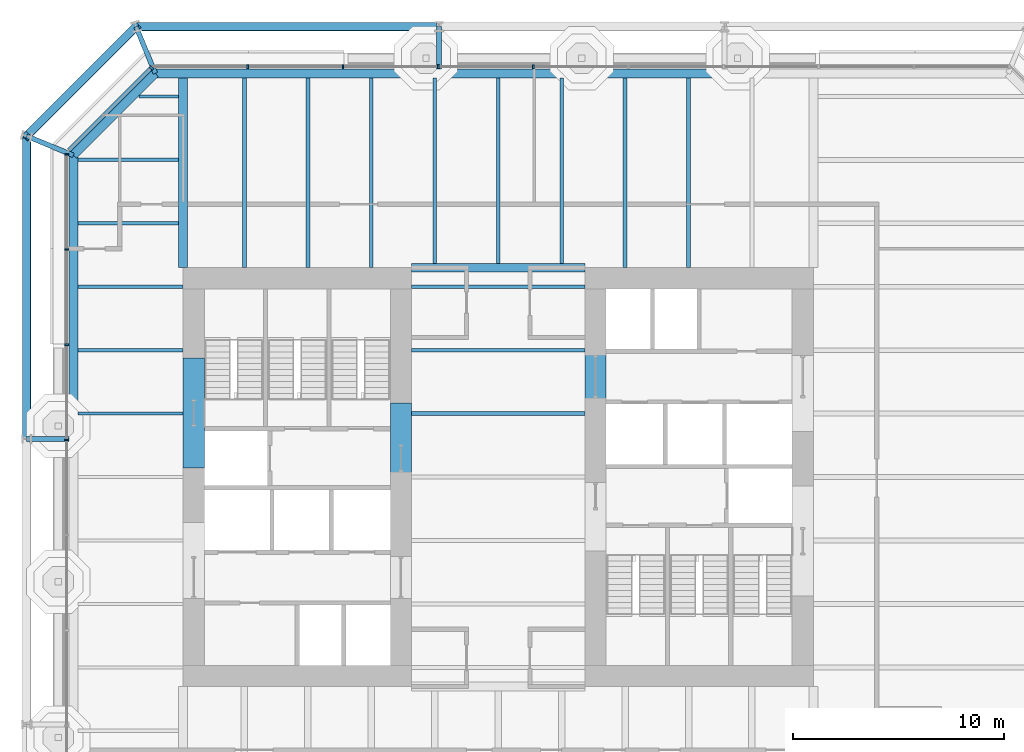
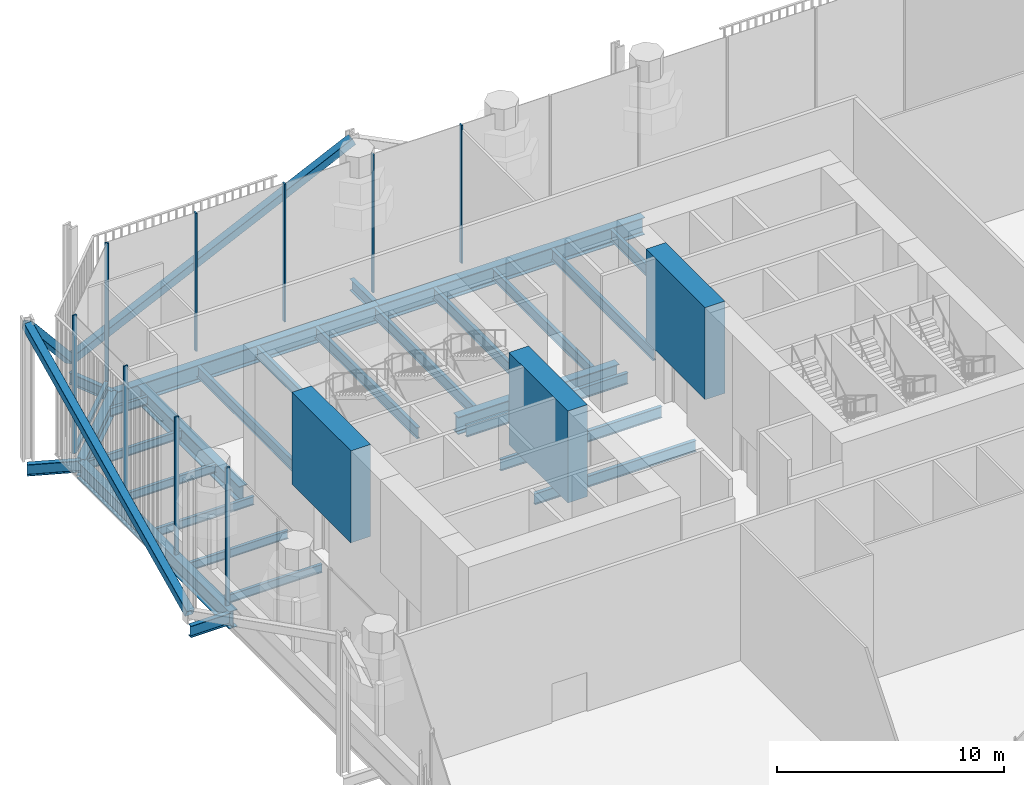
# One storey, part 8 of 18: 30 beams, 13 members, 3 elements without a shape of their own.
"""IFC4 building model written with IfcOpenShell, lengths in metres."""

from ifc_helpers import new_model, si_unit, direction, frame, origin, origin_2d, place, context, subcontext, project, spatial, rectangle, hollow_rectangle, i_section, extrude, material, layer, layer_set, material_profile, profile_set, type_object, element, aggregate, save


model = new_model("IFC4")

# Units and contexts
model_context = context("Model", 3, precision=1e-05, world=origin(), true_north=direction((0.0, 1.0)))
body_context = subcontext(model_context, "Body", "Model", "MODEL_VIEW")
ifc_project = project(units=[si_unit("LENGTHUNIT", "METRE"), si_unit("AREAUNIT", "SQUARE_METRE"), si_unit("VOLUMEUNIT", "CUBIC_METRE"), si_unit("PLANEANGLEUNIT", "RADIAN"), si_unit("MASSUNIT", "GRAM", prefix="KILO")], contexts=[model_context])

# Site, building, storey
site_placement = place(None, origin())
site = spatial("IfcSite", under=ifc_project, at=site_placement, CompositionType="ELEMENT")
building_placement = place(site_placement, origin())
building = spatial("IfcBuilding", under=site, at=building_placement, Name="Millrace Tower", CompositionType="ELEMENT")
storey_placement = place(building_placement, frame((0.0, 0.0, 112.800048828125)))
storey = spatial("IfcBuildingStorey", under=building, at=storey_placement, Name="L25", CompositionType="ELEMENT", Elevation=112.800048828125)

# Curtain wall, members
ifc_material_1 = material(Name="Aluminium and glass", Category="aluminium")
ifc_layer = layer(ifc_material_1, 0.199951171875)
ifc_layer_set = layer_set([ifc_layer], Name="Aluminium and glass")
curtain_wall_type = type_object("IfcCurtainWallType", Name="CW-4 sky garden winter glazing", PredefinedType="NOTDEFINED", material=ifc_layer_set)
placement = place(storey_placement, origin())
curtain_wall_1 = element("IfcCurtainWall", 1, at=placement, inside=storey, type_object=curtain_wall_type, Name="Curtain wall B-F06 L25", PredefinedType="NOTDEFINED")
ifc_material_2 = material(Name="Aluminium", Category="aluminium")
ifc_material_profile_1 = material_profile(ifc_material_2, rectangle(XDim=0.080078125, YDim=0.199951171875, at=origin_2d()))
ifc_profile_set_1 = profile_set([ifc_material_profile_1], Name="Aluminium")
member_type_1 = type_object("IfcMemberType", Name="CW-4 sky garden winter glazing mullion", PredefinedType="MULLION", material=ifc_profile_set_1)
member_1_placement = place(storey_placement, frame((1.659912109375, 19.39990234375, 0.179931640625), z_axis=(0.0, 0.0, 1.0), x_axis=(-1.0, 0.0, 0.0)))
member_1 = element("IfcMember", 2, at=member_1_placement, type_object=member_type_1, Name="CW4 mullion B-F06.6", PredefinedType="MULLION", context=body_context, shape_type="SweptSolid", body=[
    extrude(rectangle(XDim=0.080078125, YDim=0.199951171875, at=origin_2d()), origin(), (0.0, 0.0, 1.0), 7.419921875),
])
member_2_placement = place(storey_placement, frame((-2.840087890625, 19.39990234375, 0.179931640625), z_axis=(0.0, 0.0, 1.0), x_axis=(-1.0, 0.0, 0.0)))
member_2 = element("IfcMember", 3, at=member_2_placement, type_object=member_type_1, Name="CW4 mullion B-F06.7", PredefinedType="MULLION", context=body_context, shape_type="SweptSolid", body=[
    extrude(rectangle(XDim=0.080078125, YDim=0.199951171875, at=origin_2d()), origin(), (0.0, 0.0, 1.0), 7.419921875),
])
member_3_placement = place(storey_placement, frame((-7.340087890625, 19.39990234375, 0.179931640625), z_axis=(0.0, 0.0, 1.0), x_axis=(-1.0, 0.0, 0.0)))
member_3 = element("IfcMember", 4, at=member_3_placement, type_object=member_type_1, Name="CW4 mullion B-F06.8", PredefinedType="MULLION", context=body_context, shape_type="SweptSolid", body=[
    extrude(rectangle(XDim=0.080078125, YDim=0.199951171875, at=origin_2d()), origin(), (0.0, 0.0, 1.0), 7.419921875),
])
member_4_placement = place(storey_placement, frame((-11.840087890625, 19.39990234375, 0.179931640625), z_axis=(0.0, 0.0, 1.0), x_axis=(-1.0, 0.0, 0.0)))
member_4 = element("IfcMember", 5, at=member_4_placement, type_object=member_type_1, Name="CW4 mullion B-F06.9", PredefinedType="MULLION", context=body_context, shape_type="SweptSolid", body=[
    extrude(rectangle(XDim=0.080078125, YDim=0.199951171875, at=origin_2d()), origin(), (0.0, 0.0, 1.0), 7.419921875),
])
aggregate(curtain_wall_1, [member_1, member_2, member_3, member_4])

# Curtain wall, member
curtain_wall_2 = element("IfcCurtainWall", 6, at=placement, inside=storey, type_object=curtain_wall_type, Name="Curtain wall B-F07 L25", PredefinedType="NOTDEFINED")
member_5_placement = place(storey_placement, frame((-16.39892578125, 19.342529296875, 0.179931640625), z_axis=(0.0, 0.0, 1.0), x_axis=(-0.707106781187, -0.707106781187, 0.0)))
member_5 = element("IfcMember", 7, at=member_5_placement, type_object=member_type_1, Name="CW4 mullion B-F07.1", PredefinedType="MULLION", context=body_context, shape_type="SweptSolid", body=[
    extrude(rectangle(XDim=0.080078125, YDim=0.199951171875, at=origin_2d()), origin(), (0.0, 0.0, 1.0), 7.419921875),
])

# Curtain wall, members
curtain_wall_3 = element("IfcCurtainWall", 8, at=placement, inside=storey, type_object=curtain_wall_type, Name="Curtain wall B-F08 L25", PredefinedType="NOTDEFINED")
member_6_placement = place(storey_placement, frame((-20.39990234375, 15.260009765625, 0.179931640625), z_axis=(0.0, 0.0, 1.0), x_axis=(0.0, -1.0, 0.0)))
member_6 = element("IfcMember", 9, at=member_6_placement, type_object=member_type_1, Name="CW4 mullion B-F08.1", PredefinedType="MULLION", context=body_context, shape_type="SweptSolid", body=[
    extrude(rectangle(XDim=0.080078125, YDim=0.199951171875, at=origin_2d()), origin(), (0.0, 0.0, 1.0), 7.419921875),
])
member_7_placement = place(storey_placement, frame((-20.39990234375, 10.760009765625, 0.179931640625), z_axis=(0.0, 0.0, 1.0), x_axis=(0.0, -1.0, 0.0)))
member_7 = element("IfcMember", 10, at=member_7_placement, type_object=member_type_1, Name="CW4 mullion B-F08.2", PredefinedType="MULLION", context=body_context, shape_type="SweptSolid", body=[
    extrude(rectangle(XDim=0.080078125, YDim=0.199951171875, at=origin_2d()), origin(), (0.0, 0.0, 1.0), 7.419921875),
])
member_8_placement = place(storey_placement, frame((-20.39990234375, 6.260009765625, 0.179931640625), z_axis=(0.0, 0.0, 1.0), x_axis=(0.0, -1.0, 0.0)))
member_8 = element("IfcMember", 11, at=member_8_placement, type_object=member_type_1, Name="CW4 mullion B-F08.3", PredefinedType="MULLION", context=body_context, shape_type="SweptSolid", body=[
    extrude(rectangle(XDim=0.080078125, YDim=0.199951171875, at=origin_2d()), origin(), (0.0, 0.0, 1.0), 7.419921875),
])
member_9_placement = place(storey_placement, frame((-20.39990234375, 1.760009765625, 0.179931640625), z_axis=(0.0, 0.0, 1.0), x_axis=(0.0, -1.0, 0.0)))
member_9 = element("IfcMember", 12, at=member_9_placement, type_object=member_type_1, Name="CW4 mullion B-F08.4", PredefinedType="MULLION", context=body_context, shape_type="SweptSolid", body=[
    extrude(rectangle(XDim=0.080078125, YDim=0.199951171875, at=origin_2d()), origin(), (0.0, 0.0, 1.0), 7.419921875),
])
aggregate(curtain_wall_3, [member_6, member_7, member_8, member_9])

# Member
ifc_material_3 = material(Name="Aluminium", Category="aluminium")
ifc_material_profile_2 = material_profile(ifc_material_3, rectangle(XDim=0.199951171875, YDim=0.179931640625, at=origin_2d()))
ifc_profile_set_2 = profile_set([ifc_material_profile_2], Name="Aluminium")
member_type_2 = type_object("IfcMemberType", Name="CW-4 sky garden winter glazing transom", PredefinedType="USERDEFINED", material=ifc_profile_set_2)
member_10_placement = place(storey_placement, frame((-16.44140625, 19.300048828125, 0.08984375), z_axis=(-0.707106781187, -0.707106781187, 0.0), x_axis=(0.707106781187, -0.707106781187, 0.0)))
member_10 = element("IfcMember", 13, at=member_10_placement, type_object=member_type_2, Name="CW4 transom B-F07.1", ObjectType="TRANSOM", PredefinedType="USERDEFINED", context=body_context, shape_type="SweptSolid", body=[
    extrude(rectangle(XDim=0.199951171875, YDim=0.179931640625, at=origin_2d()), origin(), (0.0, 0.0, 1.0), 5.45703125),
])

aggregate(curtain_wall_2, [member_5, member_10])

# Beams
ifc_material_4 = material(Name="Concrete C80", Category="concrete")
ifc_material_profile_3 = material_profile(ifc_material_4, rectangle(XDim=1.0, YDim=4.949951171875, at=origin_2d()))
ifc_profile_set_3 = profile_set([ifc_material_profile_3], Name="Concrete C80")
beam_type_1 = type_object("IfcBeamType", Name="Coupling beam 1000 x 4950 Concrete C80, 1300 opening", PredefinedType="BEAM", material=ifc_profile_set_3)
beam_1_placement = place(storey_placement, frame((-14.39990234375, 0.43115234375, 4.875), z_axis=(0.0, 1.0, 0.0), x_axis=(-1.0, 0.0, 0.0)))
element("IfcBeam", 14, at=beam_1_placement, inside=storey, type_object=beam_type_1, Name="Coupling beam W L25", PredefinedType="BEAM", context=body_context, shape_type="SweptSolid", body=[
    extrude(rectangle(XDim=1.0, YDim=4.949951171875, at=origin_2d()), origin(), (0.0, 0.0, 1.0), 5.19775390625),
])
beam_2_placement = place(storey_placement, frame((-4.60009765625, -1.69873046875, 4.875), z_axis=(0.0, 1.0, 0.0), x_axis=(-1.0, 0.0, 0.0)))
element("IfcBeam", 15, at=beam_2_placement, inside=storey, type_object=beam_type_1, Name="Coupling beam W L25", PredefinedType="BEAM", context=body_context, shape_type="SweptSolid", body=[
    extrude(rectangle(XDim=1.0, YDim=4.949951171875, at=origin_2d()), origin(), (0.0, 0.0, 1.0), 5.197509765625),
])
ifc_material_5 = material(Name="Concrete C80", Category="concrete")
ifc_material_profile_4 = material_profile(ifc_material_5, rectangle(XDim=1.0, YDim=4.949951171875, at=origin_2d()))
ifc_profile_set_4 = profile_set([ifc_material_profile_4], Name="Concrete C80")
beam_type_2 = type_object("IfcBeamType", Name="Coupling beam 1000 x 4950 Concrete C80, 2000 opening", PredefinedType="BEAM", material=ifc_profile_set_4)
beam_3_placement = place(storey_placement, frame((4.60009765625, 7.348876953125, 4.875), z_axis=(0.0, -1.0, 0.0), x_axis=(1.0, 0.0, 0.0)))
element("IfcBeam", 16, at=beam_3_placement, inside=storey, type_object=beam_type_2, Name="Coupling beam E L25", PredefinedType="BEAM", context=body_context, shape_type="SweptSolid", body=[
    extrude(rectangle(XDim=1.0, YDim=4.949951171875, at=origin_2d()), origin(), (0.0, 0.0, 1.0), 5.19775390625),
])

# Members
ifc_material_6 = material(Name="Steel ASTM A500 Grade C", Category="steel")
ifc_material_profile_5 = material_profile(ifc_material_6, hollow_rectangle(XDim=0.406494140625, YDim=0.406494140625, WallThickness=0.0126953125, InnerFilletRadius=0.00634765625, OuterFilletRadius=0.01904296875, at=origin_2d()))
ifc_profile_set_5 = profile_set([ifc_material_profile_5], Name="Steel ASTM A500 Grade C")
member_type_3 = type_object("IfcMemberType", Name="Exoskeleton brace HSS16x16x1/2", PredefinedType="BRACE", material=ifc_profile_set_5)
member_11_placement = place(storey_placement, frame((-17.12841796875, 21.300048828125, 0.39990234375), z_axis=(0.90342227316, 0.0, 0.428751905371), x_axis=(0.0, 1.0, 0.0)))
element("IfcMember", 17, at=member_11_placement, inside=storey, type_object=member_type_3, Name="BRC-B-L25-12", PredefinedType="BRACE", context=body_context, shape_type="SweptSolid", body=[
    extrude(hollow_rectangle(XDim=0.406494140625, YDim=0.406494140625, WallThickness=0.0126953125, InnerFilletRadius=0.00634765625, OuterFilletRadius=0.01904296875, at=origin_2d()), origin(), (0.0, 0.0, 1.0), 15.860107421875),
])
member_12_placement = place(storey_placement, frame((-17.12841796875, 21.300048828125, 0.39990234375), z_axis=(-0.517856972807, -0.517856972807, 0.680917257404), x_axis=(0.707106781187, -0.707106781187, 0.0)))
element("IfcMember", 18, at=member_12_placement, inside=storey, type_object=member_type_3, Name="BRC-B-L25-13", PredefinedType="BRACE", context=body_context, shape_type="SweptSolid", body=[
    extrude(hollow_rectangle(XDim=0.406494140625, YDim=0.406494140625, WallThickness=0.0126953125, InnerFilletRadius=0.00634765625, OuterFilletRadius=0.01904296875, at=origin_2d()), origin(), (0.0, 0.0, 1.0), 9.986572265625),
])
member_13_placement = place(storey_placement, frame((-22.300048828125, 1.800048828125, 0.39990234375), z_axis=(0.0, 0.90342227316, 0.428751905371), x_axis=(-1.0, 0.0, 0.0)))
element("IfcMember", 19, at=member_13_placement, inside=storey, type_object=member_type_3, Name="BRC-B-L25-14", PredefinedType="BRACE", context=body_context, shape_type="SweptSolid", body=[
    extrude(hollow_rectangle(XDim=0.406494140625, YDim=0.406494140625, WallThickness=0.0126953125, InnerFilletRadius=0.00634765625, OuterFilletRadius=0.01904296875, at=origin_2d()), origin(), (0.0, 0.0, 1.0), 15.860107421875),
])

# Beams
ifc_material_7 = material(Name="Steel ASTM A992 Grade 50", Category="steel")
ifc_material_profile_6 = material_profile(ifc_material_7, i_section(OverallWidth=0.15234375, OverallDepth=0.449462890625, WebThickness=0.007568359375, FlangeThickness=0.0107421875, FilletRadius=0.01025390625, at=origin_2d()))
ifc_profile_set_6 = profile_set([ifc_material_profile_6], Name="Steel ASTM A992 Grade 50")
beam_type_3 = type_object("IfcBeamType", Name="Floor beam W18x35", PredefinedType="JOIST", material=ifc_profile_set_6)
for number, where, z_axis, x_axis, name in (
    (20, (-19.880859375, 3.0, -0.474853515625), (1.0, 0.0, 0.0), (0.0, 1.0, 0.0), "BM-B-L25-S1-S026"),
    (21, (-19.880859375, 6.0, -0.474853515625), (1.0, 0.0, 0.0), (0.0, 1.0, 0.0), "BM-B-L25-S1-S029"),
    (22, (-19.880859375, 9.0, -0.474853515625), (1.0, 0.0, 0.0), (0.0, 1.0, 0.0), "BM-B-L25-S1-S032"),
):
    element("IfcBeam", number, at=place(storey_placement, frame(where, z_axis=z_axis, x_axis=x_axis)), inside=storey, type_object=beam_type_3, Name=name, PredefinedType="JOIST", context=body_context, shape_type="SweptSolid", body=[
        extrude(i_section(OverallWidth=0.15234375, OverallDepth=0.449462890625, WebThickness=0.007568359375, FlangeThickness=0.0107421875, FilletRadius=0.01025390625, at=origin_2d()), origin(), (0.0, 0.0, 1.0), 4.98095703125),
    ])
for number, where, z_axis, x_axis, name in (
    (23, (-19.880859375, 12.0, -0.474853515625), (1.0, 0.0, 0.0), (0.0, 1.0, 0.0), "BM-B-L25-S1-S034"),
    (24, (-19.880859375, 15.0, -0.474853515625), (1.0, 0.0, 0.0), (0.0, 1.0, 0.0), "BM-B-L25-S1-S036"),
):
    element("IfcBeam", number, at=place(storey_placement, frame(where, z_axis=z_axis, x_axis=x_axis)), inside=storey, type_object=beam_type_3, Name=name, PredefinedType="JOIST", context=body_context, shape_type="SweptSolid", body=[
        extrude(i_section(OverallWidth=0.15234375, OverallDepth=0.449462890625, WebThickness=0.007568359375, FlangeThickness=0.0107421875, FilletRadius=0.01025390625, at=origin_2d()), origin(), (0.0, 0.0, 1.0), 4.77001953125),
    ])
beam_4_placement = place(storey_placement, frame((-16.995361328125, 18.0, -0.474853515625), z_axis=(1.0, 0.0, 0.0), x_axis=(0.0, 1.0, 0.0)))
element("IfcBeam", 25, at=beam_4_placement, inside=storey, type_object=beam_type_3, Name="BM-B-L25-S1-S038", PredefinedType="JOIST", context=body_context, shape_type="SweptSolid", body=[
    extrude(i_section(OverallWidth=0.15234375, OverallDepth=0.449462890625, WebThickness=0.007568359375, FlangeThickness=0.0107421875, FilletRadius=0.01025390625, at=origin_2d()), origin(), (0.0, 0.0, 1.0), 1.884521484375),
])
ifc_material_8 = material(Name="Steel ASTM A992 Grade 50", Category="steel")
ifc_material_profile_7 = material_profile(ifc_material_8, i_section(OverallWidth=0.177978515625, OverallDepth=0.599365234375, WebThickness=0.010009765625, FlangeThickness=0.012939453125, FilletRadius=0.012939453125, at=origin_2d()))
ifc_profile_set_7 = profile_set([ifc_material_profile_7], Name="Steel ASTM A992 Grade 50")
beam_type_4 = type_object("IfcBeamType", Name="Floor beam W24x55", PredefinedType="JOIST", material=ifc_profile_set_7)
for number, where, z_axis, x_axis, name in (
    (26, (-4.10009765625, 3.0, -0.5498046875), (1.0, 0.0, 0.0), (0.0, 1.0, 0.0), "BM-B-L25-S1-S025"),
    (27, (-4.10009765625, 6.0, -0.5498046875), (1.0, 0.0, 0.0), (0.0, 1.0, 0.0), "BM-B-L25-S1-S028"),
    (28, (-4.10009765625, 9.0, -0.5498046875), (1.0, 0.0, 0.0), (0.0, 1.0, 0.0), "BM-B-L25-S1-S031"),
):
    element("IfcBeam", number, at=place(storey_placement, frame(where, z_axis=z_axis, x_axis=x_axis)), inside=storey, type_object=beam_type_4, Name=name, PredefinedType="JOIST", context=body_context, shape_type="SweptSolid", body=[
        extrude(i_section(OverallWidth=0.177978515625, OverallDepth=0.599365234375, WebThickness=0.010009765625, FlangeThickness=0.012939453125, FilletRadius=0.012939453125, at=origin_2d()), origin(), (0.0, 0.0, 1.0), 8.2001953125),
    ])
for number, where, z_axis, x_axis, name in (
    (29, (-12.0, 9.89990234375, -0.5498046875), (0.0, 1.0, 0.0), (-1.0, 0.0, 0.0), "BM-B-L25-S1-S040"),
    (30, (-9.0, 9.89990234375, -0.5498046875), (0.0, 1.0, 0.0), (-1.0, 0.0, 0.0), "BM-B-L25-S1-S042"),
    (31, (-6.0, 9.89990234375, -0.5498046875), (0.0, 1.0, 0.0), (-1.0, 0.0, 0.0), "BM-B-L25-S1-S044"),
):
    element("IfcBeam", number, at=place(storey_placement, frame(where, z_axis=z_axis, x_axis=x_axis)), inside=storey, type_object=beam_type_4, Name=name, PredefinedType="JOIST", context=body_context, shape_type="SweptSolid", body=[
        extrude(i_section(OverallWidth=0.177978515625, OverallDepth=0.599365234375, WebThickness=0.010009765625, FlangeThickness=0.012939453125, FilletRadius=0.012939453125, at=origin_2d()), origin(), (0.0, 0.0, 1.0), 8.98095703125),
    ])
for number, where, z_axis, x_axis, name in (
    (32, (-3.0, 10.11083984375, -0.5498046875), (0.0, 1.0, 0.0), (-1.0, 0.0, 0.0), "BM-B-L25-S1-S046"),
    (33, (0.0, 10.11083984375, -0.5498046875), (0.0, 1.0, 0.0), (-1.0, 0.0, 0.0), "BM-B-L25-S1-S048"),
    (34, (3.0, 10.11083984375, -0.5498046875), (0.0, 1.0, 0.0), (-1.0, 0.0, 0.0), "BM-B-L25-S1-S050"),
):
    element("IfcBeam", number, at=place(storey_placement, frame(where, z_axis=z_axis, x_axis=x_axis)), inside=storey, type_object=beam_type_4, Name=name, PredefinedType="JOIST", context=body_context, shape_type="SweptSolid", body=[
        extrude(i_section(OverallWidth=0.177978515625, OverallDepth=0.599365234375, WebThickness=0.010009765625, FlangeThickness=0.012939453125, FilletRadius=0.012939453125, at=origin_2d()), origin(), (0.0, 0.0, 1.0), 8.77001953125),
    ])
for number, where, z_axis, x_axis, name in (
    (35, (6.0, 9.89990234375, -0.5498046875), (0.0, 1.0, 0.0), (-1.0, 0.0, 0.0), "BM-B-L25-S1-S052"),
    (36, (9.0, 9.89990234375, -0.5498046875), (0.0, 1.0, 0.0), (-1.0, 0.0, 0.0), "BM-B-L25-S1-S054"),
):
    element("IfcBeam", number, at=place(storey_placement, frame(where, z_axis=z_axis, x_axis=x_axis)), inside=storey, type_object=beam_type_4, Name=name, PredefinedType="JOIST", context=body_context, shape_type="SweptSolid", body=[
        extrude(i_section(OverallWidth=0.177978515625, OverallDepth=0.599365234375, WebThickness=0.010009765625, FlangeThickness=0.012939453125, FilletRadius=0.012939453125, at=origin_2d()), origin(), (0.0, 0.0, 1.0), 8.98095703125),
    ])
ifc_material_9 = material(Name="Steel ASTM A992 Grade 50", Category="steel")
ifc_material_profile_8 = material_profile(ifc_material_9, i_section(OverallWidth=0.421630859375, OverallDepth=0.937255859375, WebThickness=0.021240234375, FlangeThickness=0.03662109375, FilletRadius=0.024169921875, at=origin_2d()))
ifc_profile_set_8 = profile_set([ifc_material_profile_8], Name="Steel ASTM A992 Grade 50")
beam_type_5 = type_object("IfcBeamType", Name="Girder short span W36x262", PredefinedType="BEAM", material=ifc_profile_set_8)
beam_5_placement = place(storey_placement, frame((-14.89990234375, 9.89990234375, -0.71875), z_axis=(0.0, 1.0, 0.0), x_axis=(-1.0, 0.0, 0.0)))
element("IfcBeam", 37, at=beam_5_placement, inside=storey, type_object=beam_type_5, Name="BM-B-L25-S1-G058", PredefinedType="BEAM", context=body_context, shape_type="SweptSolid", body=[
    extrude(i_section(OverallWidth=0.421630859375, OverallDepth=0.937255859375, WebThickness=0.021240234375, FlangeThickness=0.03662109375, FilletRadius=0.024169921875, at=origin_2d()), origin(), (0.0, 0.0, 1.0), 8.98095703125),
])
beam_6_placement = place(storey_placement, frame((-4.10009765625, 9.89990234375, -0.71875), z_axis=(1.0, 0.0, 0.0), x_axis=(0.0, 1.0, 0.0)))
element("IfcBeam", 38, at=beam_6_placement, inside=storey, type_object=beam_type_5, Name="BM-B-L25-S1-G062", PredefinedType="BEAM", context=body_context, shape_type="SweptSolid", body=[
    extrude(i_section(OverallWidth=0.421630859375, OverallDepth=0.937255859375, WebThickness=0.021240234375, FlangeThickness=0.03662109375, FilletRadius=0.024169921875, at=origin_2d()), origin(), (0.0, 0.0, 1.0), 8.2001953125),
])
ifc_material_10 = material(Name="Steel ASTM A992 Grade 50", Category="steel")
ifc_material_profile_9 = material_profile(ifc_material_10, i_section(OverallWidth=0.23046875, OverallDepth=0.6171875, WebThickness=0.01318359375, FlangeThickness=0.022216796875, FilletRadius=0.012939453125, at=origin_2d()))
ifc_profile_set_9 = profile_set([ifc_material_profile_9], Name="Steel ASTM A992 Grade 50")
beam_type_6 = type_object("IfcBeamType", Name="Link beam W24x94", PredefinedType="BEAM", material=ifc_profile_set_9)
beam_7_placement = place(storey_placement, frame((-20.300048828125, 1.800048828125, -0.55859375), z_axis=(-1.0, 0.0, 0.0), x_axis=(0.0, -1.0, 0.0)))
element("IfcBeam", 39, at=beam_7_placement, inside=storey, type_object=beam_type_6, Name="LNK-B-L25-S1-03", PredefinedType="BEAM", context=body_context, shape_type="SweptSolid", body=[
    extrude(i_section(OverallWidth=0.23046875, OverallDepth=0.6171875, WebThickness=0.01318359375, FlangeThickness=0.022216796875, FilletRadius=0.012939453125, at=origin_2d()), origin(), (0.0, 0.0, 1.0), 2.0),
])
for number, where, z_axis, x_axis, name in (
    (40, (-20.09033203125, 15.213134765625, -0.55859375), (-0.923881226989, 0.382679341507, 0.0), (-0.382679341507, -0.923881226989, 0.0), "LNK-B-L25-S1-04"),
    (41, (-16.213134765625, 19.09033203125, -0.55859375), (-0.382679341507, 0.923881226989, 0.0), (-0.923881226989, -0.382679341507, 0.0), "LNK-B-L25-S1-05"),
):
    element("IfcBeam", number, at=place(storey_placement, frame(where, z_axis=z_axis, x_axis=x_axis)), inside=storey, type_object=beam_type_6, Name=name, PredefinedType="BEAM", context=body_context, shape_type="SweptSolid", body=[
        extrude(i_section(OverallWidth=0.23046875, OverallDepth=0.6171875, WebThickness=0.01318359375, FlangeThickness=0.022216796875, FilletRadius=0.012939453125, at=origin_2d()), origin(), (0.0, 0.0, 1.0), 2.391845703125),
    ])
beam_8_placement = place(storey_placement, frame((-2.800048828125, 19.300048828125, -0.55859375), z_axis=(0.0, 1.0, 0.0), x_axis=(-1.0, 0.0, 0.0)))
element("IfcBeam", 42, at=beam_8_placement, inside=storey, type_object=beam_type_6, Name="LNK-B-L25-S1-06", PredefinedType="BEAM", context=body_context, shape_type="SweptSolid", body=[
    extrude(i_section(OverallWidth=0.23046875, OverallDepth=0.6171875, WebThickness=0.01318359375, FlangeThickness=0.022216796875, FilletRadius=0.012939453125, at=origin_2d()), origin(), (0.0, 0.0, 1.0), 2.0),
])
ifc_material_11 = material(Name="Steel ASTM A992 Grade 50", Category="steel")
ifc_material_profile_10 = material_profile(ifc_material_11, i_section(OverallWidth=0.419189453125, OverallDepth=0.927001953125, WebThickness=0.019287109375, FlangeThickness=0.031982421875, FilletRadius=0.024169921875, at=origin_2d()))
ifc_profile_set_10 = profile_set([ifc_material_profile_10], Name="Steel ASTM A992 Grade 50")
beam_type_7 = type_object("IfcBeamType", Name="Ring beam medium span W36x231", PredefinedType="SPANDREL", material=ifc_profile_set_10)
for number, where, z_axis, x_axis, name in (
    (43, (-20.09033203125, 1.800048828125, -0.713623046875), (0.0, 1.0, 0.0), (-1.0, 0.0, 0.0), "RNG-B-L25-S1-03"),
    (44, (-16.213134765625, 19.09033203125, -0.713623046875), (1.0, 0.0, 0.0), (0.0, 1.0, 0.0), "RNG-B-L25-S1-05"),
):
    element("IfcBeam", number, at=place(storey_placement, frame(where, z_axis=z_axis, x_axis=x_axis)), inside=storey, type_object=beam_type_7, Name=name, PredefinedType="SPANDREL", context=body_context, shape_type="SweptSolid", body=[
        extrude(i_section(OverallWidth=0.419189453125, OverallDepth=0.927001953125, WebThickness=0.019287109375, FlangeThickness=0.031982421875, FilletRadius=0.024169921875, at=origin_2d()), origin(), (0.0, 0.0, 1.0), 13.4130859375),
    ])
beam_9_placement = place(storey_placement, frame((-2.800048828125, 19.09033203125, -0.713623046875), z_axis=(1.0, 0.0, 0.0), x_axis=(0.0, 1.0, 0.0)))
element("IfcBeam", 45, at=beam_9_placement, inside=storey, type_object=beam_type_7, Name="RNG-B-L25-S1-06", PredefinedType="SPANDREL", context=body_context, shape_type="SweptSolid", body=[
    extrude(i_section(OverallWidth=0.419189453125, OverallDepth=0.927001953125, WebThickness=0.019287109375, FlangeThickness=0.031982421875, FilletRadius=0.024169921875, at=origin_2d()), origin(), (0.0, 0.0, 1.0), 13.5),
])
ifc_material_12 = material(Name="Steel ASTM A992 Grade 50", Category="steel")
ifc_material_profile_11 = material_profile(ifc_material_12, i_section(OverallWidth=0.419189453125, OverallDepth=0.927001953125, WebThickness=0.019287109375, FlangeThickness=0.031982421875, FilletRadius=0.024169921875, at=origin_2d()))
ifc_profile_set_11 = profile_set([ifc_material_profile_11], Name="Steel ASTM A992 Grade 50")
beam_type_8 = type_object("IfcBeamType", Name="Ring beam short span W36x231", PredefinedType="SPANDREL", material=ifc_profile_set_11)
beam_10_placement = place(storey_placement, frame((-20.09033203125, 15.213134765625, -0.713623046875), z_axis=(0.707106781187, 0.707106781187, 0.0), x_axis=(-0.707106781187, 0.707106781187, 0.0)))
element("IfcBeam", 46, at=beam_10_placement, inside=storey, type_object=beam_type_8, Name="RNG-B-L25-S1-04", PredefinedType="SPANDREL", context=body_context, shape_type="SweptSolid", body=[
    extrude(i_section(OverallWidth=0.419189453125, OverallDepth=0.927001953125, WebThickness=0.019287109375, FlangeThickness=0.031982421875, FilletRadius=0.024169921875, at=origin_2d()), origin(), (0.0, 0.0, 1.0), 5.483154296875),
])

save(model, "model.ifc")
